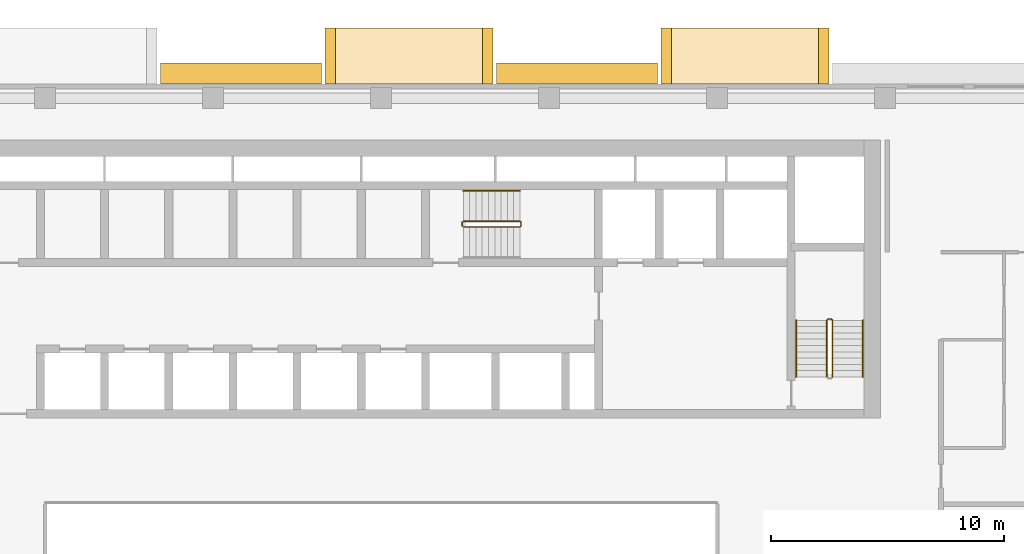
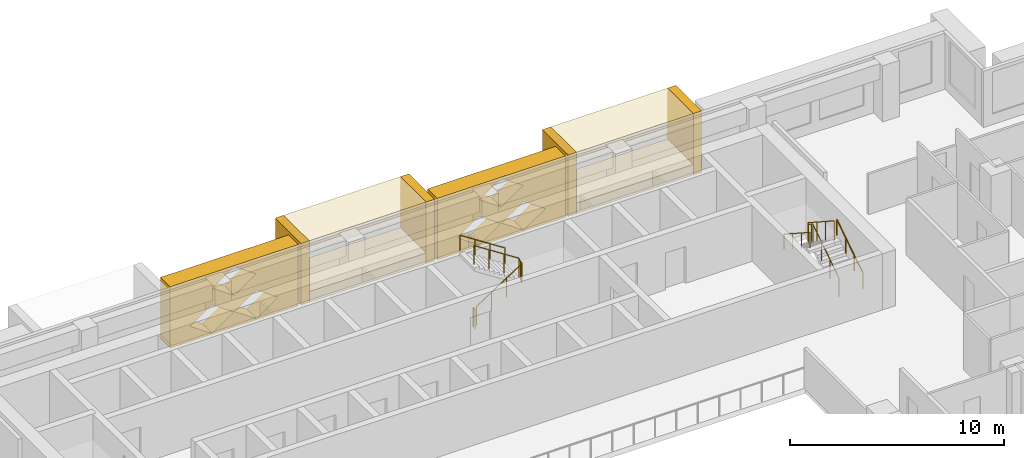
# One storey, part 19 of 20: 10 coverings, 6 railings.
"""IFC4 building model written with IfcOpenShell, lengths in metres."""

import ifcopenshell
import ifcopenshell.guid

model = None  # the IFC model being written
_history = None  # IfcOwnerHistory: only IFC2X3 demands one
_inside = {}  # id of a spatial element -> (the spatial element, [elements in it])
_under = {}  # id of a project, library or spatial element -> (it, [spatial elements below it])
_declared = {}  # id of a project -> (the project, [libraries it declares])
_typed = {}  # id of a type object -> (the type object, [elements of that type])
_made_of = {}  # id of a material, layer set ... -> (it, [elements and type objects made of it])


def new_model(schema):
    """Start an empty IFC model of exactly this schema.

    Asked for "IFC4X3", IfcOpenShell would pick the latest addendum, in which some entities
    have other attributes; the version numbers below select the first issue.
    IFC2X3 requires an IfcOwnerHistory on every rooted entity: one is made here for all.
    """
    global model, _history
    if schema == "IFC4X3":
        model = ifcopenshell.file(schema_version=(4, 3, 0, 0))
    else:
        model = ifcopenshell.file(schema=schema)
    _inside.clear()
    _under.clear()
    _declared.clear()
    _typed.clear()
    _made_of.clear()
    _history = None
    if model.schema == "IFC2X3":
        org = make("IfcOrganization", Name="unknown")
        user = make(
            "IfcPersonAndOrganization",
            ThePerson=make("IfcPerson", FamilyName="unknown"),
            TheOrganization=org,
        )
        app = make(
            "IfcApplication",
            ApplicationDeveloper=org,
            Version="unknown",
            ApplicationFullName="unknown",
            ApplicationIdentifier="unknown",
        )
        _history = make(
            "IfcOwnerHistory",
            OwningUser=user,
            OwningApplication=app,
            ChangeAction="ADDED",
            CreationDate=0,
        )
    return model


def make(cls, **values):
    """One entity of the class cls with the attributes given. An attribute that is None is left unset."""
    return model.create_entity(
        cls, **{name: value for name, value in values.items() if value is not None}
    )


def rooted(cls, **values):
    """An entity with a GlobalId (a new one), such as an element, a storey or a relation."""
    return make(cls, GlobalId=ifcopenshell.guid.new(), OwnerHistory=_history, **values)


def si_unit(unit_type, name, prefix=None):
    """IfcSIUnit, for example si_unit("LENGTHUNIT", "METRE", prefix="MILLI")."""
    return make("IfcSIUnit", UnitType=unit_type, Prefix=prefix, Name=name)


def assignment(units):
    """IfcUnitAssignment: the units of a project."""
    return None if units is None else make("IfcUnitAssignment", Units=units)


def point(xyz):
    """IfcCartesianPoint."""
    return None if xyz is None else make("IfcCartesianPoint", Coordinates=xyz)


def direction(xyz):
    """IfcDirection."""
    return None if xyz is None else make("IfcDirection", DirectionRatios=xyz)


def frame(location, z_axis=None, x_axis=None):
    """IfcAxis2Placement3D, a coordinate frame: its origin and axes. An axis left out is left unset."""
    return make(
        "IfcAxis2Placement3D",
        Location=point(location),
        Axis=direction(z_axis),
        RefDirection=direction(x_axis),
    )


def frame_2d(location, x_axis=None):
    """IfcAxis2Placement2D, a coordinate frame in the plane: its origin and x axis."""
    return make(
        "IfcAxis2Placement2D", Location=point(location), RefDirection=direction(x_axis)
    )


def origin():
    """The frame at (0, 0, 0) with its axes left unset."""
    return frame((0.0, 0.0, 0.0))


def origin_2d():
    """The frame at (0, 0) in the plane with its x axis left unset."""
    return frame_2d((0.0, 0.0))


def place(relative_to, where):
    """IfcLocalPlacement: puts the frame where relative to a parent placement (None: the world)."""
    return make(
        "IfcLocalPlacement", PlacementRelTo=relative_to, RelativePlacement=where
    )


def context(
    kind, dimensions, precision=None, world=None, true_north=None, identifier=None
):
    """IfcGeometricRepresentationContext, for example the 3D "Model" context."""
    return make(
        "IfcGeometricRepresentationContext",
        ContextIdentifier=identifier,
        ContextType=kind,
        CoordinateSpaceDimension=dimensions,
        Precision=precision,
        WorldCoordinateSystem=world,
        TrueNorth=true_north,
    )


def subcontext(parent, identifier, kind, view, scale=None):
    """IfcGeometricRepresentationSubContext, for example "Body" below "Model"."""
    return make(
        "IfcGeometricRepresentationSubContext",
        ContextIdentifier=identifier,
        ContextType=kind,
        ParentContext=parent,
        TargetScale=scale,
        TargetView=view,
    )


def project(units=None, contexts=None):
    """IfcProject with its units and contexts."""
    return rooted(
        "IfcProject",
        Name="project",
        RepresentationContexts=contexts,
        UnitsInContext=assignment(units),
    )


def spatial(cls, under=None, at=None, **own):
    """A site, building, storey or space (cls), placed at a placement, below another one or the project."""
    s = rooted(cls, ObjectPlacement=at, **own)
    if under is not None:
        _under.setdefault(under.id(), (under, []))[1].append(s)
    return s


def polyline(points):
    """IfcPolyline through the points."""
    return make("IfcPolyline", Points=[point(p) for p in points])


def profile(cls, at=None, kind="AREA", **sizes):
    """A parametric profile (cls). Its sizes go by their IFC names, for example OverallWidth=200.0."""
    return make(cls, ProfileType=kind, Position=at, **sizes)


def circle(**sizes):
    """IfcCircleProfileDef."""
    return profile("IfcCircleProfileDef", **sizes)


def outline(outer, holes=None, kind="AREA"):
    """IfcArbitraryClosedProfileDef: a profile drawn as a closed curve; with holes, ...WithVoids."""
    if holes is None:
        return make("IfcArbitraryClosedProfileDef", ProfileType=kind, OuterCurve=outer)
    return make(
        "IfcArbitraryProfileDefWithVoids",
        ProfileType=kind,
        OuterCurve=outer,
        InnerCurves=holes,
    )


def extrude(swept, where, along, depth):
    """IfcExtrudedAreaSolid: the profile swept, set in the frame where, extruded along a direction by depth."""
    return make(
        "IfcExtrudedAreaSolid",
        SweptArea=swept,
        Position=where,
        ExtrudedDirection=direction(along),
        Depth=depth,
    )


def shape(context_of_items, identifier, shape_type, items):
    """IfcShapeRepresentation: the items that make up one representation, for example the "Body"."""
    return make(
        "IfcShapeRepresentation",
        ContextOfItems=context_of_items,
        RepresentationIdentifier=identifier,
        RepresentationType=shape_type,
        Items=items,
    )


def material(Name=None, Category=None):
    """IfcMaterial."""
    return make("IfcMaterial", Name=Name, Category=Category)


def made_of(thing, what):
    """Note that an element or type object is made of a material, layer set ...; save() writes the relation."""
    if what is not None:
        _made_of.setdefault(what.id(), (what, []))[1].append(thing)
    return thing


def type_object(cls, material=None, **own):
    """A type object (cls), such as IfcWallType, which elements share."""
    return made_of(rooted(cls, **own), material)


def element(
    cls,
    number,
    at=None,
    inside=None,
    cuts=None,
    type_object=None,
    material=None,
    context=None,
    identifier="Body",
    shape_type=None,
    held_by="IfcProductDefinitionShape",
    body=None,
    shapes=None,
    **own,
):
    """One element of the class cls, such as IfcWall. Its Tag is "e" and its number.

    at: its placement. inside: the storey or other place that contains it. cuts: it is an
    opening in that element (IfcRelVoidsElement). A single representation is given by context,
    identifier, shape_type and body (its items); several are given by shapes. held_by: the class
    of the entity that holds the representations. save() writes the other relations.
    """
    e = rooted(cls, Tag="e%d" % number, ObjectPlacement=at, **own)
    if body is not None:
        shapes = [shape(context, identifier, shape_type, body)]
    if shapes is not None:
        e.Representation = make(held_by, Representations=shapes)
    if inside is not None:
        _inside.setdefault(inside.id(), (inside, []))[1].append(e)
    if cuts is not None:
        rooted(
            "IfcRelVoidsElement", RelatingBuildingElement=cuts, RelatedOpeningElement=e
        )
    if type_object is not None:
        _typed.setdefault(type_object.id(), (type_object, []))[1].append(e)
    return made_of(e, material)


def aggregate(whole, parts):
    """IfcRelAggregates: a whole, such as a stair, and the parts it consists of."""
    return rooted("IfcRelAggregates", RelatingObject=whole, RelatedObjects=parts)


def save(model, path):
    """Write the relations noted so far, then the file.

    IfcRelAggregates (storeys below a building ...), IfcRelContainedInSpatialStructure (elements
    in a storey), IfcRelDefinesByType, IfcRelAssociatesMaterial and IfcRelDeclares: one each for
    every whole, place, type object, material and project.
    """
    for whole, parts in _under.values():
        aggregate(whole, parts)
    for where, things in _inside.values():
        rooted(
            "IfcRelContainedInSpatialStructure",
            RelatedElements=things,
            RelatingStructure=where,
        )
    for kind, things in _typed.values():
        rooted("IfcRelDefinesByType", RelatedObjects=things, RelatingType=kind)
    for what, things in _made_of.values():
        rooted("IfcRelAssociatesMaterial", RelatedObjects=things, RelatingMaterial=what)
    for by, libraries in _declared.values():
        rooted("IfcRelDeclares", RelatingContext=by, RelatedDefinitions=libraries)
    model.write(path)


model = new_model("IFC4")

# Units and contexts
model_context = context("Model", 3, precision=1e-05, world=origin(), true_north=direction((0.0, 1.0)))
body_context = subcontext(model_context, "Body", "Model", "MODEL_VIEW")
ifc_project = project(units=[si_unit("LENGTHUNIT", "METRE"), si_unit("AREAUNIT", "SQUARE_METRE"), si_unit("VOLUMEUNIT", "CUBIC_METRE"), si_unit("PLANEANGLEUNIT", "RADIAN"), si_unit("MASSUNIT", "GRAM", prefix="KILO")], contexts=[model_context])

# Site, building, storey
site_placement = place(None, origin())
site = spatial("IfcSite", under=ifc_project, at=site_placement, CompositionType="ELEMENT")
building_placement = place(site_placement, origin())
building = spatial("IfcBuilding", under=site, at=building_placement, Name="Saffron Iwan Residences", CompositionType="ELEMENT")
storey_placement = place(building_placement, frame((0.0, 0.0, 130.5)))
storey = spatial("IfcBuildingStorey", under=building, at=storey_placement, Name="L34", CompositionType="ELEMENT", Elevation=130.5)

# Coverings
ifc_material_1 = material(Name="Precast concrete C40/50", Category="concrete")
covering_type_1 = type_object("IfcCoveringType", Name="OUTER SKIN LATTICE SCREEN", PredefinedType="CLADDING", material=ifc_material_1)
for number, where, z_axis, x_axis, name in (
    (1, (62.25, 80.39990234375, -0.300048828125), (0.0, 1.0, 0.0), (-1.0, 0.0, 0.0), "OUTER SKIN lattice screen L34 F5.1"),
    (2, (47.85009765625, 80.39990234375, -0.300048828125), (0.0, 1.0, 0.0), (-1.0, 0.0, 0.0), "OUTER SKIN lattice screen L34 F5.2"),
):
    element("IfcCovering", number, at=place(storey_placement, frame(where, z_axis=z_axis, x_axis=x_axis)), inside=storey, type_object=covering_type_1, Name=name, PredefinedType="CLADDING", context=body_context, shape_type="SweptSolid", body=[
        extrude(outline(polyline([(0.0, 0.0), (6.89990234375, 0.0), (6.89990234375, 3.5), (0.0, 3.5), (0.0, 0.0)]), holes=[polyline([(1.070068359375, 0.875), (2.25, 0.06005859375), (3.429931640625, 0.875), (2.25, 1.68994140625), (1.070068359375, 0.875)]), polyline([(3.469970703125, 0.875), (4.64990234375, 0.06005859375), (5.830078125, 0.875), (4.64990234375, 1.68994140625), (3.469970703125, 0.875)]), polyline([(2.27001953125, 2.625), (3.449951171875, 1.81005859375), (4.6298828125, 2.625), (3.449951171875, 3.43994140625), (2.27001953125, 2.625)])]), origin(), (0.0, 0.0, 1.0), 0.900146484375),
    ])

# Railings
ifc_material_2 = material(Name="Steel S355", Category="steel")
railing_type_1 = type_object("IfcRailingType", Name="Stair guard 1100", PredefinedType="GUARDRAIL", material=ifc_material_2)
railing_1_placement = place(storey_placement, frame((53.925048828125, 74.27490234375, 0.175048828125)))
element("IfcRailing", 3, at=railing_1_placement, inside=storey, type_object=railing_type_1, Name="L34 ST-C stair guard 1", PredefinedType="GUARDRAIL", context=body_context, shape_type="SweptSolid", body=[
    extrude(circle(Radius=0.02392578125, at=origin_2d()), frame((0.0, 0.0, 1.076171875), z_axis=(0.839153699163, 0.0, 0.543894354798), x_axis=(0.0, 1.0, 0.0)), (0.0, 0.0, 1.0), 2.895751953125),
    extrude(circle(Radius=0.02392578125, at=origin_2d()), frame((2.429931640625, 0.0, 2.65087890625), z_axis=(0.707106781187, 0.707106781187, 0.0), x_axis=(-0.707106781187, 0.707106781187, 0.0)), (0.0, 0.0, 1.0), 0.07080078125),
    extrude(circle(Radius=0.02392578125, at=origin_2d()), frame((2.47998046875, 0.050048828125, 2.65087890625), z_axis=(0.0, 1.0, 0.0), x_axis=(-1.0, 0.0, 0.0)), (0.0, 0.0, 1.0), 0.150146484375),
    extrude(circle(Radius=0.02392578125, at=origin_2d()), frame((2.47998046875, 0.2001953125, 2.65087890625), z_axis=(-0.265155923931, 0.263862480399, 0.927399011991), x_axis=(-0.705375805398, -0.708833529934, 0.0)), (0.0, 0.0, 1.0), 0.188720703125),
    extrude(circle(Radius=0.02392578125, at=origin_2d()), frame((2.429931640625, 0.25, 2.826171875), z_axis=(-0.839153699163, 0.0, 0.543894354798), x_axis=(0.0, -1.0, 0.0)), (0.0, 0.0, 1.0), 2.895751953125),
    extrude(circle(Radius=0.02099609375, at=origin_2d()), origin(), (0.0, 0.0, 1.0), 1.052001953125),
    extrude(circle(Radius=0.02099609375, at=origin_2d()), frame((0.81005859375, 0.0, 0.52490234375)), (0.0, 0.0, 1.0), 1.052001953125),
    extrude(circle(Radius=0.02099609375, at=origin_2d()), frame((1.619873046875, 0.0, 1.050048828125)), (0.0, 0.0, 1.0), 1.052001953125),
    extrude(circle(Radius=0.02099609375, at=origin_2d()), frame((2.429931640625, 0.0, 1.574951171875)), (0.0, 0.0, 1.0), 1.052001953125),
    extrude(circle(Radius=0.02099609375, at=origin_2d()), frame((2.47998046875, 0.050048828125, 1.574951171875)), (0.0, 0.0, 1.0), 1.052001953125),
    extrude(circle(Radius=0.02099609375, at=origin_2d()), frame((2.47998046875, 0.2001953125, 1.574951171875)), (0.0, 0.0, 1.0), 1.052001953125),
    extrude(circle(Radius=0.02099609375, at=origin_2d()), frame((2.429931640625, 0.25, 1.75)), (0.0, 0.0, 1.0), 1.052001953125),
    extrude(circle(Radius=0.02099609375, at=origin_2d()), frame((1.619873046875, 0.25, 2.27490234375)), (0.0, 0.0, 1.0), 1.052001953125),
    extrude(circle(Radius=0.02099609375, at=origin_2d()), frame((0.81005859375, 0.25, 2.800048828125)), (0.0, 0.0, 1.0), 1.052001953125),
    extrude(circle(Radius=0.02099609375, at=origin_2d()), frame((0.0, 0.25, 3.324951171875)), (0.0, 0.0, 1.0), 1.052001953125),
])
railing_2_placement = place(storey_placement, frame((53.875, 74.324951171875, 0.0)))
element("IfcRailing", 4, at=railing_2_placement, inside=storey, type_object=railing_type_1, Name="L34 ST-C stair guard 2", PredefinedType="GUARDRAIL", context=body_context, shape_type="SweptSolid", body=[
    extrude(circle(Radius=0.02392578125, at=origin_2d()), frame((0.0, 0.0, 1.076171875), z_axis=(0.0, 1.0, 0.0), x_axis=(-1.0, 0.0, 0.0)), (0.0, 0.0, 1.0), 0.150146484375),
    extrude(circle(Radius=0.02099609375, at=origin_2d()), origin(), (0.0, 0.0, 1.0), 1.052001953125),
    extrude(circle(Radius=0.02099609375, at=origin_2d()), frame((0.0, 0.150146484375, 0.0)), (0.0, 0.0, 1.0), 1.052001953125),
])
railing_3_placement = place(storey_placement, frame((69.75, 67.85009765625, 0.175048828125)))
element("IfcRailing", 5, at=railing_3_placement, inside=storey, type_object=railing_type_1, Name="L34 ST-E stair guard 1", PredefinedType="GUARDRAIL", context=body_context, shape_type="SweptSolid", body=[
    extrude(circle(Radius=0.02392578125, at=origin_2d()), frame((0.0, 0.0, 1.076171875), z_axis=(0.0, 0.839153699163, 0.543894354798), x_axis=(-1.0, 0.0, 0.0)), (0.0, 0.0, 1.0), 2.895751953125),
    extrude(circle(Radius=0.02392578125, at=origin_2d()), frame((0.0, 2.429931640625, 2.65087890625), z_axis=(-0.707106781187, 0.707106781187, 0.0), x_axis=(-0.707106781187, -0.707106781187, 0.0)), (0.0, 0.0, 1.0), 0.07080078125),
    extrude(circle(Radius=0.02392578125, at=origin_2d()), frame((-0.050048828125, 2.47998046875, 2.65087890625), z_axis=(-1.0, 0.0, 0.0), x_axis=(0.0, -1.0, 0.0)), (0.0, 0.0, 1.0), 0.14990234375),
    extrude(circle(Radius=0.02392578125, at=origin_2d()), frame((-0.199951171875, 2.47998046875, 2.65087890625), z_axis=(-0.265065253269, -0.265065253269, 0.927081885822), x_axis=(0.707106781187, -0.707106781187, 0.0)), (0.0, 0.0, 1.0), 0.188720703125),
    extrude(circle(Radius=0.02392578125, at=origin_2d()), frame((-0.25, 2.429931640625, 2.826171875), z_axis=(0.0, -0.839153699163, 0.543894354798), x_axis=(1.0, 0.0, 0.0)), (0.0, 0.0, 1.0), 2.895751953125),
    extrude(circle(Radius=0.02099609375, at=origin_2d()), origin(), (0.0, 0.0, 1.0), 1.052001953125),
    extrude(circle(Radius=0.02099609375, at=origin_2d()), frame((0.0, 0.81005859375, 0.52490234375)), (0.0, 0.0, 1.0), 1.052001953125),
    extrude(circle(Radius=0.02099609375, at=origin_2d()), frame((0.0, 1.619873046875, 1.050048828125)), (0.0, 0.0, 1.0), 1.052001953125),
    extrude(circle(Radius=0.02099609375, at=origin_2d()), frame((0.0, 2.429931640625, 1.574951171875)), (0.0, 0.0, 1.0), 1.052001953125),
    extrude(circle(Radius=0.02099609375, at=origin_2d()), frame((-0.050048828125, 2.47998046875, 1.574951171875)), (0.0, 0.0, 1.0), 1.052001953125),
    extrude(circle(Radius=0.02099609375, at=origin_2d()), frame((-0.199951171875, 2.47998046875, 1.574951171875)), (0.0, 0.0, 1.0), 1.052001953125),
    extrude(circle(Radius=0.02099609375, at=origin_2d()), frame((-0.25, 2.429931640625, 1.75)), (0.0, 0.0, 1.0), 1.052001953125),
    extrude(circle(Radius=0.02099609375, at=origin_2d()), frame((-0.25, 1.619873046875, 2.27490234375)), (0.0, 0.0, 1.0), 1.052001953125),
    extrude(circle(Radius=0.02099609375, at=origin_2d()), frame((-0.25, 0.81005859375, 2.800048828125)), (0.0, 0.0, 1.0), 1.052001953125),
    extrude(circle(Radius=0.02099609375, at=origin_2d()), frame((-0.25, 0.0, 3.324951171875)), (0.0, 0.0, 1.0), 1.052001953125),
])
ifc_material_3 = material(Name="Stainless steel 316", Category="steel")
railing_type_2 = type_object("IfcRailingType", Name="Stair handrail 900", PredefinedType="HANDRAIL", material=ifc_material_3)
railing_4_placement = place(storey_placement, frame((56.35498046875, 75.824951171875, 1.925048828125)))
element("IfcRailing", 6, at=railing_4_placement, inside=storey, type_object=railing_type_2, Name="L34 ST-C stair handrail 2", PredefinedType="HANDRAIL", context=body_context, shape_type="SweptSolid", body=[
    extrude(circle(Radius=0.02392578125, at=origin_2d()), frame((0.0, 0.0, 0.8759765625), z_axis=(-0.839153699163, 0.0, 0.543894354798), x_axis=(0.0, -1.0, 0.0)), (0.0, 0.0, 1.0), 2.895751953125),
    extrude(circle(Radius=0.02099609375, at=origin_2d()), origin(), (0.0, 0.0, 1.0), 0.851806640625),
    extrude(circle(Radius=0.02099609375, at=origin_2d()), frame((-0.81005859375, 0.0, 0.52490234375)), (0.0, 0.0, 1.0), 0.851806640625),
    extrude(circle(Radius=0.02099609375, at=origin_2d()), frame((-1.619873046875, 0.0, 1.050048828125)), (0.0, 0.0, 1.0), 0.851806640625),
    extrude(circle(Radius=0.02099609375, at=origin_2d()), frame((-2.429931640625, 0.0, 1.574951171875)), (0.0, 0.0, 1.0), 0.851806640625),
])
railing_5_placement = place(storey_placement, frame((71.050048828125, 67.85009765625, 0.175048828125)))
element("IfcRailing", 7, at=railing_5_placement, inside=storey, type_object=railing_type_2, Name="L34 ST-E stair handrail 1", PredefinedType="HANDRAIL", context=body_context, shape_type="SweptSolid", body=[
    extrude(circle(Radius=0.02392578125, at=origin_2d()), frame((0.0, 0.0, 0.8759765625), z_axis=(0.0, 0.839153699163, 0.543894354798), x_axis=(-1.0, 0.0, 0.0)), (0.0, 0.0, 1.0), 2.895751953125),
    extrude(circle(Radius=0.02099609375, at=origin_2d()), origin(), (0.0, 0.0, 1.0), 0.851806640625),
    extrude(circle(Radius=0.02099609375, at=origin_2d()), frame((0.0, 0.81005859375, 0.52490234375)), (0.0, 0.0, 1.0), 0.851806640625),
    extrude(circle(Radius=0.02099609375, at=origin_2d()), frame((0.0, 1.619873046875, 1.050048828125)), (0.0, 0.0, 1.0), 0.851806640625),
    extrude(circle(Radius=0.02099609375, at=origin_2d()), frame((0.0, 2.429931640625, 1.574951171875)), (0.0, 0.0, 1.0), 0.851806640625),
])
railing_6_placement = place(storey_placement, frame((68.199951171875, 70.280029296875, 1.925048828125)))
element("IfcRailing", 8, at=railing_6_placement, inside=storey, type_object=railing_type_2, Name="L34 ST-E stair handrail 2", PredefinedType="HANDRAIL", context=body_context, shape_type="SweptSolid", body=[
    extrude(circle(Radius=0.02392578125, at=origin_2d()), frame((0.0, 0.0, 0.8759765625), z_axis=(0.0, -0.839153699163, 0.543894354798), x_axis=(1.0, 0.0, 0.0)), (0.0, 0.0, 1.0), 2.895751953125),
    extrude(circle(Radius=0.02099609375, at=origin_2d()), origin(), (0.0, 0.0, 1.0), 0.851806640625),
    extrude(circle(Radius=0.02099609375, at=origin_2d()), frame((0.0, -0.81005859375, 0.52490234375)), (0.0, 0.0, 1.0), 0.851806640625),
    extrude(circle(Radius=0.02099609375, at=origin_2d()), frame((0.0, -1.619873046875, 1.050048828125)), (0.0, 0.0, 1.0), 0.851806640625),
    extrude(circle(Radius=0.02099609375, at=origin_2d()), frame((0.0, -2.429931640625, 1.574951171875)), (0.0, 0.0, 1.0), 0.851806640625),
])

# Coverings
ifc_material_4 = material(Name="Precast concrete C40/50 white painted", Category="concrete")
covering_type_2 = type_object("IfcCoveringType", Name="WHITE SUN FRAME PRECAST", PredefinedType="CLADDING", material=ifc_material_4)
for number, where, z_axis, x_axis, name in (
    (9, (69.60009765625, 80.39990234375, -0.300048828125), (0.0, 1.0, 0.0), (-1.0, 0.0, 0.0), "Sun frame L34 F5 13.2a"),
    (10, (62.85009765625, 80.39990234375, -0.300048828125), (0.0, 1.0, 0.0), (-1.0, 0.0, 0.0), "Sun frame L34 F5 13.2b"),
):
    element("IfcCovering", number, at=place(storey_placement, frame(where, z_axis=z_axis, x_axis=x_axis)), inside=storey, type_object=covering_type_2, Name=name, PredefinedType="CLADDING", context=body_context, shape_type="SweptSolid", body=[
        extrude(outline(polyline([(0.0, 0.0), (0.449951171875, 0.0), (0.449951171875, 3.5), (0.0, 3.5), (0.0, 0.0)])), origin(), (0.0, 0.0, 1.0), 2.400146484375),
    ])
for number, where, z_axis, x_axis, name in (
    (11, (69.14990234375, 80.39990234375, 2.60009765625), (0.0, 1.0, 0.0), (-1.0, 0.0, 0.0), "Sun frame L34 F5 13.2h"),
    (12, (69.14990234375, 80.39990234375, -0.300048828125), (0.0, 1.0, 0.0), (-1.0, 0.0, 0.0), "Sun frame L34 F5 13.2s"),
):
    element("IfcCovering", number, at=place(storey_placement, frame(where, z_axis=z_axis, x_axis=x_axis)), inside=storey, type_object=covering_type_2, Name=name, PredefinedType="CLADDING", context=body_context, shape_type="SweptSolid", body=[
        extrude(outline(polyline([(0.0, 0.0), (6.300048828125, 0.0), (6.300048828125, 0.60009765625), (0.0, 0.60009765625), (0.0, 0.0)])), origin(), (0.0, 0.0, 1.0), 2.400146484375),
    ])
for number, where, z_axis, x_axis, name in (
    (13, (55.199951171875, 80.39990234375, -0.300048828125), (0.0, 1.0, 0.0), (-1.0, 0.0, 0.0), "Sun frame L34 F5 27.6a"),
    (14, (48.449951171875, 80.39990234375, -0.300048828125), (0.0, 1.0, 0.0), (-1.0, 0.0, 0.0), "Sun frame L34 F5 27.6b"),
):
    element("IfcCovering", number, at=place(storey_placement, frame(where, z_axis=z_axis, x_axis=x_axis)), inside=storey, type_object=covering_type_2, Name=name, PredefinedType="CLADDING", context=body_context, shape_type="SweptSolid", body=[
        extrude(outline(polyline([(0.0, 0.0), (0.449951171875, 0.0), (0.449951171875, 3.5), (0.0, 3.5), (0.0, 0.0)])), origin(), (0.0, 0.0, 1.0), 2.400146484375),
    ])
for number, where, z_axis, x_axis, name in (
    (15, (54.75, 80.39990234375, 2.60009765625), (0.0, 1.0, 0.0), (-1.0, 0.0, 0.0), "Sun frame L34 F5 27.6h"),
    (16, (54.75, 80.39990234375, -0.300048828125), (0.0, 1.0, 0.0), (-1.0, 0.0, 0.0), "Sun frame L34 F5 27.6s"),
):
    element("IfcCovering", number, at=place(storey_placement, frame(where, z_axis=z_axis, x_axis=x_axis)), inside=storey, type_object=covering_type_2, Name=name, PredefinedType="CLADDING", context=body_context, shape_type="SweptSolid", body=[
        extrude(outline(polyline([(0.0, 0.0), (6.300048828125, 0.0), (6.300048828125, 0.60009765625), (0.0, 0.60009765625), (0.0, 0.0)])), origin(), (0.0, 0.0, 1.0), 2.400146484375),
    ])

save(model, "model.ifc")
